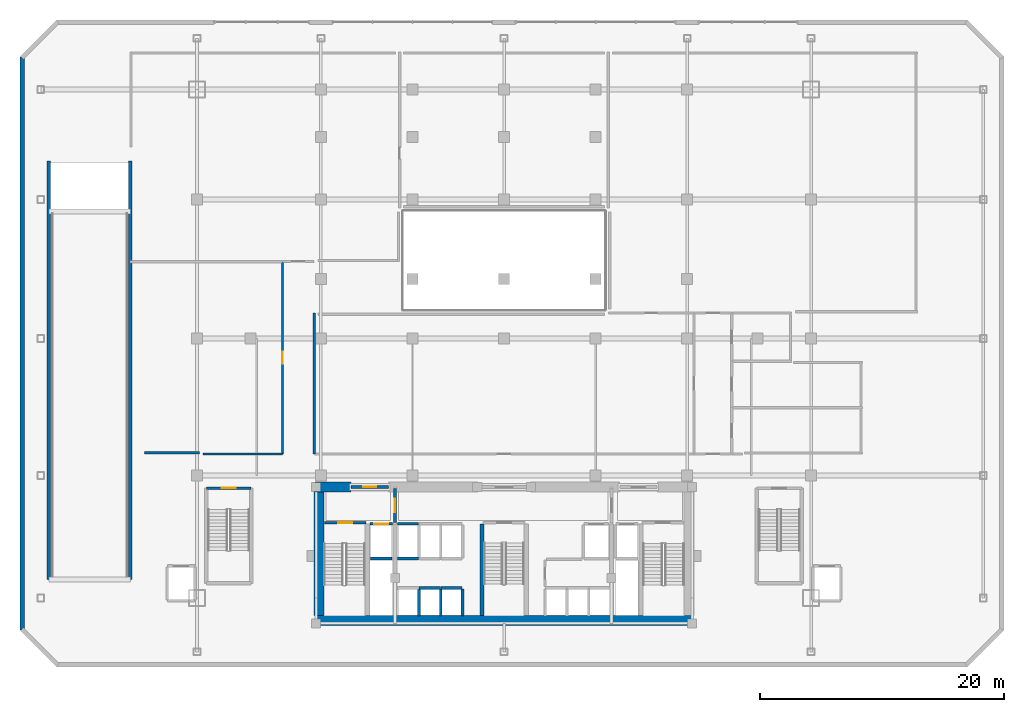
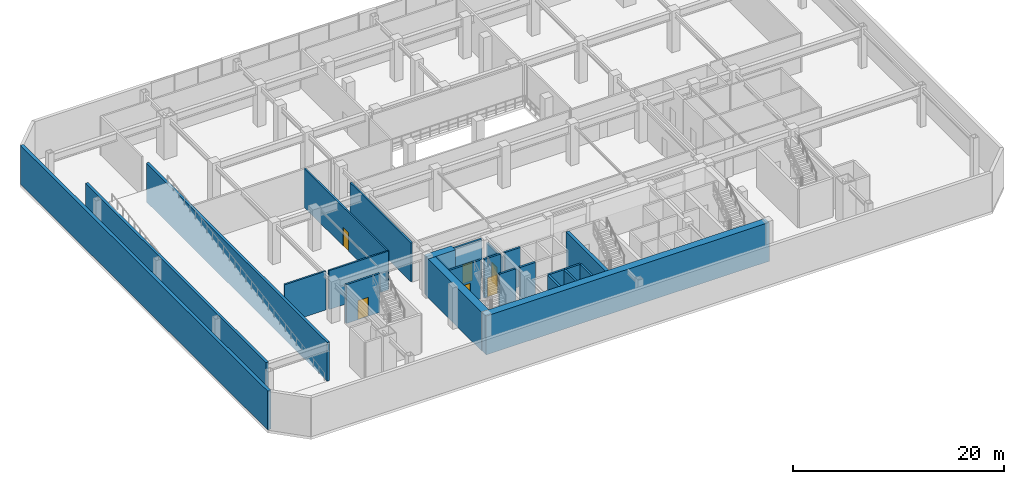
# One storey, part 10 of 15: 24 walls, 6 doors, 6 openings.
"""IFC4 building model written with IfcOpenShell, lengths in metres."""

from ifc_helpers import new_model, si_unit, direction, frame, frame_2d, origin, place, context, subcontext, project, spatial, rectangle, extrude, material, layer, layer_set, type_object, element, fill, save


model = new_model("IFC4")

# Units and contexts
model_context = context("Model", 3, precision=1e-05, world=origin(), true_north=direction((0.0, 1.0)))
body_context = subcontext(model_context, "Body", "Model", "MODEL_VIEW")
ifc_project = project(units=[si_unit("LENGTHUNIT", "METRE"), si_unit("AREAUNIT", "SQUARE_METRE"), si_unit("VOLUMEUNIT", "CUBIC_METRE"), si_unit("PLANEANGLEUNIT", "RADIAN"), si_unit("MASSUNIT", "GRAM", prefix="KILO")], contexts=[model_context])

# Site, building, storey
site_placement = place(None, origin())
site = spatial("IfcSite", under=ifc_project, at=site_placement, CompositionType="ELEMENT")
building_placement = place(site_placement, origin())
building = spatial("IfcBuilding", under=site, at=building_placement, Name="Ventersveld Concourse Tower", CompositionType="ELEMENT")
storey_placement = place(building_placement, frame((0.0, 0.0, 5.39990234375)))
storey = spatial("IfcBuildingStorey", under=building, at=storey_placement, Name="L01", CompositionType="ELEMENT", Elevation=5.39990234375)

# Walls
ifc_material_1 = material(Name="Concrete C60/75", Category="concrete")
ifc_layer_1 = layer(ifc_material_1, 0.35009765625)
ifc_layer_set_1 = layer_set([ifc_layer_1], Name="Concrete C60/75")
wall_type_1 = type_object("IfcWallType", Name="WL-CORE-350L", PredefinedType="SHEAR", material=ifc_layer_set_1)
wall_1_placement = place(storey_placement, frame((26.93994140625, 0.919921875, 0.0), z_axis=(0.0, 0.0, 1.0), x_axis=(0.0, 1.0, 0.0)))
element("IfcWall", 1, at=wall_1_placement, inside=storey, type_object=wall_type_1, Name="L01 Core Internal Shear Web W-ST3-W", PredefinedType="SHEAR", context=body_context, shape_type="SweptSolid", body=[
    extrude(rectangle(XDim=7.5, YDim=0.35009765625, at=frame_2d((3.75, 0.0))), origin(), (0.0, 0.0, 1.0), 4.5),
])
ifc_layer_2 = layer(ifc_material_1, 0.800048828125)
ifc_layer_set_2 = layer_set([ifc_layer_2], Name="Concrete C60/75")
wall_type_2 = type_object("IfcWallType", Name="WL-CORE-800", PredefinedType="SHEAR", material=ifc_layer_set_2)
wall_2_placement = place(storey_placement, frame((13.25, 0.52001953125, 0.0), z_axis=(0.0, 0.0, 1.0), x_axis=(1.0, 0.0, 0.0)))
element("IfcWall", 2, at=wall_2_placement, inside=storey, type_object=wall_type_2, Name="L01 Rear Core South Shear Wall", PredefinedType="SHEAR", context=body_context, shape_type="SweptSolid", body=[
    extrude(rectangle(XDim=31.0, YDim=0.800048828125, at=frame_2d((15.5, 0.0))), origin(), (0.0, 0.0, 1.0), 4.5),
])
wall_3_placement = place(storey_placement, frame((13.60009765625, 0.919921875, 0.0), z_axis=(0.0, 0.0, 1.0), x_axis=(0.0, 1.0, 0.0)))
element("IfcWall", 3, at=wall_3_placement, inside=storey, type_object=wall_type_2, Name="L01 Rear Core West Shear Wall", PredefinedType="SHEAR", context=body_context, shape_type="SweptSolid", body=[
    extrude(rectangle(XDim=10.530029296875, YDim=0.800048828125, at=frame_2d((5.26513671875, 0.0))), origin(), (0.0, 0.0, 1.0), 4.5),
])
wall_4_placement = place(storey_placement, frame((13.25, 11.449951171875, 0.0), z_axis=(0.0, 0.0, 1.0), x_axis=(1.0, 0.0, 0.0)))
element("IfcWall", 4, at=wall_4_placement, inside=storey, type_object=wall_type_2, Name="L01 Rear Core North Shear Wall NW", PredefinedType="SHEAR", context=body_context, shape_type="SweptSolid", body=[
    extrude(rectangle(XDim=2.949951171875, YDim=0.800048828125, at=frame_2d((1.47509765625, 0.0))), origin(), (0.0, 0.0, 1.0), 4.5),
])
ifc_material_2 = material(Name="Fire-rated autoclaved aerated masonry blockwork", Category="masonry")
ifc_layer_3 = layer(ifc_material_2, 0.179931640625)
ifc_layer_set_3 = layer_set([ifc_layer_3], Name="Fire-rated autoclaved aerated masonry blockwork")
wall_type_3 = type_object("IfcWallType", Name="WL-CORR-180", PredefinedType="PARTITIONING", material=ifc_layer_set_3)
wall_5_placement = place(storey_placement, frame((13.199951171875, 14.155029296875, 0.0), z_axis=(0.0, 0.0, 1.0), x_axis=(0.0, 1.0, 0.0)))
element("IfcWall", 5, at=wall_5_placement, inside=storey, type_object=wall_type_3, Name="L01 Interior Partition SP-L01-GAL-SP-L01-RETC", PredefinedType="PARTITIONING", context=body_context, shape_type="SweptSolid", body=[
    extrude(rectangle(XDim=11.5400390625, YDim=0.179931640625, at=frame_2d((5.77001953125, 0.0))), origin(), (0.0, 0.0, 1.0), 4.5),
])

# Wall, opening, door
wall_6_placement = place(storey_placement, frame((10.60009765625, 14.155029296875, 0.0), z_axis=(0.0, 0.0, 1.0), x_axis=(0.0, 1.0, 0.0)))
wall_6 = element("IfcWall", 6, at=wall_6_placement, inside=storey, type_object=wall_type_3, Name="L01 Interior Partition SP-L01-GAL-SP-L01-RET1", PredefinedType="PARTITIONING", context=body_context, shape_type="SweptSolid", body=[
    extrude(rectangle(XDim=15.739990234375, YDim=0.179931640625, at=frame_2d((7.8701171875, 0.0))), origin(), (0.0, 0.0, 1.0), 4.5),
])
opening_1_placement = place(wall_6_placement, frame((7.3701171875, 0.0, 0.0)))
opening_1 = element("IfcOpeningElement", 7, at=opening_1_placement, cuts=wall_6, Name="Opening FD3", PredefinedType="OPENING", context=body_context, shape_type="SweptSolid", body=[
    extrude(rectangle(XDim=1.0, YDim=2.14990234375, at=frame_2d((0.5, 1.074951171875))), frame((0.0, 0.10009765625, 0.0), z_axis=(0.0, -1.0, 0.0), x_axis=(1.0, 0.0, 0.0)), (0.0, 0.0, 1.0), 0.199951171875),
])
ifc_material_3 = material(Name="Solid-core hardwood veneer timber", Category="wood")
door_type_1 = type_object("IfcDoorType", Name="DR-FLAT-100", OperationType="NOTDEFINED", PredefinedType="DOOR", material=ifc_material_3)
door_1_placement = place(opening_1_placement, origin())
door_1 = element("IfcDoor", 8, at=door_1_placement, inside=storey, type_object=door_type_1, Name="L01 Interior Door SP-L01-GAL to SP-L01-RET1 (D-L01-0087)", OperationType="SINGLE_SWING_LEFT", OverallHeight=2.14990234375, OverallWidth=1.0, PredefinedType="DOOR", context=body_context, shape_type="SweptSolid", body=[
    extrude(rectangle(XDim=1.0, YDim=2.14990234375, at=frame_2d((0.5, 1.074951171875))), frame((0.0, 0.02490234375, 0.0), z_axis=(0.0, -1.0, 0.0), x_axis=(1.0, 0.0, 0.0)), (0.0, 0.0, 1.0), 0.050048828125),
])
fill(opening_1, door_1)

# Walls
wall_7_placement = place(storey_placement, frame((4.10498046875, 14.14990234375, 0.0), z_axis=(0.0, 0.0, 1.0), x_axis=(1.0, 0.0, 0.0)))
element("IfcWall", 9, at=wall_7_placement, inside=storey, type_object=wall_type_3, Name="L01 Interior Partition SP-L01-GAL-SP-L01-RET1", PredefinedType="PARTITIONING", context=body_context, shape_type="SweptSolid", body=[
    extrude(rectangle(XDim=6.489990234375, YDim=0.179931640625, at=frame_2d((3.2451171875, 0.0))), origin(), (0.0, 0.0, 1.0), 4.5),
])
wall_8_placement = place(storey_placement, frame((-0.705078125, 14.25, 0.0), z_axis=(0.0, 0.0, 1.0), x_axis=(1.0, 0.0, 0.0)))
element("IfcWall", 10, at=wall_8_placement, inside=storey, type_object=wall_type_3, Name="L01 Room Enclosure Wall SP-L01-RET1", PredefinedType="PARTITIONING", context=body_context, shape_type="SweptSolid", body=[
    extrude(rectangle(XDim=4.49755859375, YDim=0.179931640625, at=frame_2d((2.248779296875, 0.0))), origin(), (0.0, 0.0, 1.0), 4.5),
])
ifc_layer_4 = layer(ifc_material_2, 0.219970703125)
ifc_layer_set_4 = layer_set([ifc_layer_4], Name="Fire-rated autoclaved aerated masonry blockwork")
wall_type_4 = type_object("IfcWallType", Name="WL-HOIST-220", PredefinedType="SOLIDWALL", material=ifc_layer_set_4)
wall_9_placement = place(storey_placement, frame((17.800048828125, 5.590087890625, 0.0), z_axis=(0.0, 0.0, 1.0), x_axis=(1.0, 0.0, 0.0)))
element("IfcWall", 11, at=wall_9_placement, inside=storey, type_object=wall_type_4, Name="L01 Lift Hoistway Back Wall FFL-01", PredefinedType="SOLIDWALL", context=body_context, shape_type="SweptSolid", body=[
    extrude(rectangle(XDim=1.780029296875, YDim=0.219970703125, at=frame_2d((0.89013671875, 0.0))), origin(), (0.0, 0.0, 1.0), 4.5),
])

# Wall, opening, door
wall_10_placement = place(storey_placement, frame((17.780029296875, 8.429931640625, 0.0), z_axis=(0.0, 0.0, 1.0), x_axis=(1.0, 0.0, 0.0)))
wall_10 = element("IfcWall", 12, at=wall_10_placement, inside=storey, type_object=wall_type_4, Name="L01 Lift Hoistway Front Wall FFL-01", PredefinedType="SOLIDWALL", context=body_context, shape_type="SweptSolid", body=[
    extrude(rectangle(XDim=1.820068359375, YDim=0.219970703125, at=frame_2d((0.91015625, 0.0))), origin(), (0.0, 0.0, 1.0), 4.5),
])
opening_2_placement = place(wall_10_placement, frame((0.35009765625, 0.0, 0.0)))
opening_2 = element("IfcOpeningElement", 13, at=opening_2_placement, cuts=wall_10, Name="Opening LD1", PredefinedType="OPENING", context=body_context, shape_type="SweptSolid", body=[
    extrude(rectangle(XDim=1.1201171875, YDim=2.25, at=frame_2d((0.56005859375, 1.125))), frame((0.0, 0.1201171875, 0.0), z_axis=(0.0, -1.0, 0.0), x_axis=(1.0, 0.0, 0.0)), (0.0, 0.0, 1.0), 0.239990234375),
])
ifc_material_4 = material(Name="Brushed stainless steel 316", Category="steel")
door_type_2 = type_object("IfcDoorType", Name="LD-FF-112", OperationType="SLIDING_TO_LEFT", PredefinedType="DOOR", material=ifc_material_4)
door_2_placement = place(opening_2_placement, origin())
door_2 = element("IfcDoor", 14, at=door_2_placement, inside=storey, type_object=door_type_2, Name="L01 Lift landing door FFL-01 (LD-L01-FFL-01)", OperationType="SLIDING_TO_LEFT", OverallHeight=2.25, OverallWidth=1.1201171875, PredefinedType="DOOR", context=body_context, shape_type="SweptSolid", body=[
    extrude(rectangle(XDim=1.1201171875, YDim=2.25, at=frame_2d((0.56005859375, 1.125))), frame((0.0, 0.02490234375, 0.0), z_axis=(0.0, -1.0, 0.0), x_axis=(1.0, 0.0, 0.0)), (0.0, 0.0, 1.0), 0.050048828125),
])
fill(opening_2, door_2)

# Walls
for number, where, z_axis, x_axis, name in (
    (15, (21.780029296875, 0.89990234375, 0.0), (0.0, 0.0, 1.0), (0.0, 1.0, 0.0), "L01 Lift Hoistway Side Wall PL-01E"),
    (16, (23.56005859375, 0.89990234375, 0.0), (0.0, 0.0, 1.0), (0.0, 1.0, 0.0), "L01 Lift Hoistway Side Wall PL-02E"),
):
    element("IfcWall", number, at=place(storey_placement, frame(where, z_axis=z_axis, x_axis=x_axis)), inside=storey, type_object=wall_type_4, Name=name, PredefinedType="SOLIDWALL", context=body_context, shape_type="SweptSolid", body=[
        extrude(rectangle(XDim=2.2001953125, YDim=0.219970703125, at=frame_2d((1.10009765625, 0.0))), origin(), (0.0, 0.0, 1.0), 4.5),
    ])
wall_11_placement = place(storey_placement, frame((21.800048828125, 3.179931640625, 0.0), z_axis=(0.0, 0.0, 1.0), x_axis=(1.0, 0.0, 0.0)))
element("IfcWall", 17, at=wall_11_placement, inside=storey, type_object=wall_type_4, Name="L01 Lift Hoistway Front Wall PL-02", PredefinedType="SOLIDWALL", context=body_context, shape_type="SweptSolid", body=[
    extrude(rectangle(XDim=1.739990234375, YDim=0.219970703125, at=frame_2d((0.8701171875, 0.0))), origin(), (0.0, 0.0, 1.0), 4.5),
])
wall_12_placement = place(storey_placement, frame((25.340087890625, 0.89990234375, 0.0), z_axis=(0.0, 0.0, 1.0), x_axis=(0.0, 1.0, 0.0)))
element("IfcWall", 18, at=wall_12_placement, inside=storey, type_object=wall_type_4, Name="L01 Lift Hoistway Side Wall PL-03E", PredefinedType="SOLIDWALL", context=body_context, shape_type="SweptSolid", body=[
    extrude(rectangle(XDim=2.2001953125, YDim=0.219970703125, at=frame_2d((1.10009765625, 0.0))), origin(), (0.0, 0.0, 1.0), 4.5),
])
wall_13_placement = place(storey_placement, frame((23.580078125, 3.179931640625, 0.0), z_axis=(0.0, 0.0, 1.0), x_axis=(1.0, 0.0, 0.0)))
element("IfcWall", 19, at=wall_13_placement, inside=storey, type_object=wall_type_4, Name="L01 Lift Hoistway Front Wall PL-03", PredefinedType="SOLIDWALL", context=body_context, shape_type="SweptSolid", body=[
    extrude(rectangle(XDim=1.739990234375, YDim=0.219970703125, at=frame_2d((0.8701171875, 0.0))), origin(), (0.0, 0.0, 1.0), 4.5),
])
wall_14_placement = place(storey_placement, frame((20.0400390625, 5.590087890625, 0.0), z_axis=(0.0, 0.0, 1.0), x_axis=(1.0, 0.0, 0.0)))
element("IfcWall", 20, at=wall_14_placement, inside=storey, type_object=wall_type_4, Name="L01 Lift Hoistway Back Wall PH-01", PredefinedType="SOLIDWALL", context=body_context, shape_type="SweptSolid", body=[
    extrude(rectangle(XDim=1.699951171875, YDim=0.219970703125, at=frame_2d((0.85009765625, 0.0))), origin(), (0.0, 0.0, 1.0), 4.5),
])
wall_15_placement = place(storey_placement, frame((20.02001953125, 8.429931640625, 0.0), z_axis=(0.0, 0.0, 1.0), x_axis=(1.0, 0.0, 0.0)))
element("IfcWall", 21, at=wall_15_placement, inside=storey, type_object=wall_type_4, Name="L01 Lift Hoistway Front Wall PH-01", PredefinedType="SOLIDWALL", context=body_context, shape_type="SweptSolid", body=[
    extrude(rectangle(XDim=1.739990234375, YDim=0.219970703125, at=frame_2d((0.8701171875, 0.0))), origin(), (0.0, 0.0, 1.0), 4.5),
])

# Wall, opening, door
wall_16_placement = place(storey_placement, frame((14.0400390625, 8.52001953125, 0.0), z_axis=(0.0, 0.0, 1.0), x_axis=(1.0, 0.0, 0.0)))
wall_16 = element("IfcWall", 22, at=wall_16_placement, inside=storey, type_object=wall_type_4, Name="L01 Escape Stair ST01 Fire Wall", PredefinedType="SOLIDWALL", context=body_context, shape_type="SweptSolid", body=[
    extrude(rectangle(XDim=3.39990234375, YDim=0.219970703125, at=frame_2d((1.699951171875, 0.0))), origin(), (0.0, 0.0, 1.0), 4.5),
])
opening_3_placement = place(wall_16_placement, frame((1.125, 0.0, 0.0)))
opening_3 = element("IfcOpeningElement", 23, at=opening_3_placement, cuts=wall_16, Name="Opening FD1", PredefinedType="OPENING", context=body_context, shape_type="SweptSolid", body=[
    extrude(rectangle(XDim=1.14990234375, YDim=2.199951171875, at=frame_2d((0.574951171875, 1.10009765625))), frame((0.0, 0.1201171875, 0.0), z_axis=(0.0, -1.0, 0.0), x_axis=(1.0, 0.0, 0.0)), (0.0, 0.0, 1.0), 0.239990234375),
])
ifc_material_5 = material(Name="Galvanised painted steel", Category="steel")
door_type_3 = type_object("IfcDoorType", Name="DR-STAIR-115", OperationType="NOTDEFINED", PredefinedType="DOOR", material=ifc_material_5)
door_3_placement = place(opening_3_placement, origin())
door_3 = element("IfcDoor", 24, at=door_3_placement, inside=storey, type_object=door_type_3, Name="L01 Escape Stair Door ST01 (SD-L01-0075)", OperationType="SINGLE_SWING_LEFT", OverallHeight=2.199951171875, OverallWidth=1.14990234375, PredefinedType="DOOR", context=body_context, shape_type="SweptSolid", body=[
    extrude(rectangle(XDim=1.14990234375, YDim=2.199951171875, at=frame_2d((0.574951171875, 1.10009765625))), frame((0.0, 0.02490234375, 0.0), z_axis=(0.0, -1.0, 0.0), x_axis=(1.0, 0.0, 0.0)), (0.0, 0.0, 1.0), 0.050048828125),
])
fill(opening_3, door_3)

wall_17_placement = place(storey_placement, frame((4.360107421875, 11.35009765625, 0.0), z_axis=(0.0, 0.0, 1.0), x_axis=(1.0, 0.0, 0.0)))
wall_17 = element("IfcWall", 25, at=wall_17_placement, inside=storey, type_object=wall_type_4, Name="L01 Escape Stair ST04 Fire Wall", PredefinedType="SOLIDWALL", context=body_context, shape_type="SweptSolid", body=[
    extrude(rectangle(XDim=3.679931640625, YDim=0.219970703125, at=frame_2d((1.83984375, 0.0))), origin(), (0.0, 0.0, 1.0), 4.5),
])
opening_4_placement = place(wall_17_placement, frame((1.264892578125, 0.0, 0.0)))
opening_4 = element("IfcOpeningElement", 26, at=opening_4_placement, cuts=wall_17, Name="Opening FD1", PredefinedType="OPENING", context=body_context, shape_type="SweptSolid", body=[
    extrude(rectangle(XDim=1.14990234375, YDim=2.199951171875, at=frame_2d((0.574951171875, 1.10009765625))), frame((0.0, 0.1201171875, 0.0), z_axis=(0.0, -1.0, 0.0), x_axis=(1.0, 0.0, 0.0)), (0.0, 0.0, 1.0), 0.239990234375),
])
door_4_placement = place(opening_4_placement, origin())
door_4 = element("IfcDoor", 27, at=door_4_placement, inside=storey, type_object=door_type_3, Name="L01 Escape Stair Door ST04 (SD-L01-0078)", OperationType="SINGLE_SWING_RIGHT", OverallHeight=2.199951171875, OverallWidth=1.14990234375, PredefinedType="DOOR", context=body_context, shape_type="SweptSolid", body=[
    extrude(rectangle(XDim=1.14990234375, YDim=2.199951171875, at=frame_2d((0.574951171875, 1.10009765625))), frame((0.0, 0.02490234375, 0.0), z_axis=(0.0, -1.0, 0.0), x_axis=(1.0, 0.0, 0.0)), (0.0, 0.0, 1.0), 0.050048828125),
])
fill(opening_4, door_4)

wall_18_placement = place(storey_placement, frame((19.820068359375, 8.52001953125, 0.0), z_axis=(0.0, 0.0, 1.0), x_axis=(0.0, 1.0, 0.0)))
wall_18 = element("IfcWall", 28, at=wall_18_placement, inside=storey, type_object=wall_type_4, Name="L01 Firefighting Lobby Smoke-Stop Wall FFLW-SEP", PredefinedType="SOLIDWALL", context=body_context, shape_type="SweptSolid", body=[
    extrude(rectangle(XDim=2.800048828125, YDim=0.219970703125, at=frame_2d((1.39990234375, 0.0))), origin(), (0.0, 0.0, 1.0), 3.95556640625),
])
opening_5_placement = place(wall_18_placement, frame((0.85009765625, 0.0, 0.0)))
opening_5 = element("IfcOpeningElement", 29, at=opening_5_placement, cuts=wall_18, Name="Opening FD2", PredefinedType="OPENING", context=body_context, shape_type="SweptSolid", body=[
    extrude(rectangle(XDim=1.10009765625, YDim=2.199951171875, at=frame_2d((0.550048828125, 1.10009765625))), frame((0.0, 0.1201171875, 0.0), z_axis=(0.0, -1.0, 0.0), x_axis=(1.0, 0.0, 0.0)), (0.0, 0.0, 1.0), 0.239990234375),
])
door_type_4 = type_object("IfcDoorType", Name="DR-FFL-110", OperationType="NOTDEFINED", PredefinedType="DOOR", material=ifc_material_5)
door_5_placement = place(opening_5_placement, origin())
door_5 = element("IfcDoor", 30, at=door_5_placement, inside=storey, type_object=door_type_4, Name="L01 Firefighting Lobby Door FFLW-SEP (FD-L01-0080)", OperationType="SINGLE_SWING_LEFT", OverallHeight=2.199951171875, OverallWidth=1.10009765625, PredefinedType="DOOR", context=body_context, shape_type="SweptSolid", body=[
    extrude(rectangle(XDim=1.10009765625, YDim=2.199951171875, at=frame_2d((0.550048828125, 1.10009765625))), frame((0.0, 0.02490234375, 0.0), z_axis=(0.0, -1.0, 0.0), x_axis=(1.0, 0.0, 0.0)), (0.0, 0.0, 1.0), 0.050048828125),
])
fill(opening_5, door_5)

wall_19_placement = place(storey_placement, frame((16.22998046875, 11.449951171875, 0.0), z_axis=(0.0, 0.0, 1.0), x_axis=(1.0, 0.0, 0.0)))
wall_19 = element("IfcWall", 31, at=wall_19_placement, inside=storey, type_object=wall_type_4, Name="L01 Core North Fire Portal FFLW-OUT", PredefinedType="SOLIDWALL", context=body_context, shape_type="SweptSolid", body=[
    extrude(rectangle(XDim=3.0400390625, YDim=0.219970703125, at=frame_2d((1.52001953125, 0.0))), origin(), (0.0, 0.0, 1.0), 4.5),
])
opening_6_placement = place(wall_19_placement, frame((0.969970703125, 0.0, 0.0)))
opening_6 = element("IfcOpeningElement", 32, at=opening_6_placement, cuts=wall_19, Name="Opening FD2", PredefinedType="OPENING", context=body_context, shape_type="SweptSolid", body=[
    extrude(rectangle(XDim=1.10009765625, YDim=2.199951171875, at=frame_2d((0.550048828125, 1.10009765625))), frame((0.0, 0.1201171875, 0.0), z_axis=(0.0, -1.0, 0.0), x_axis=(1.0, 0.0, 0.0)), (0.0, 0.0, 1.0), 0.239990234375),
])
door_6_placement = place(opening_6_placement, origin())
door_6 = element("IfcDoor", 33, at=door_6_placement, inside=storey, type_object=door_type_4, Name="L01 Core Lobby Fire Door FFLW-OUT (FD-L01-0082)", OperationType="SINGLE_SWING_RIGHT", OverallHeight=2.199951171875, OverallWidth=1.10009765625, PredefinedType="DOOR", context=body_context, shape_type="SweptSolid", body=[
    extrude(rectangle(XDim=1.10009765625, YDim=2.199951171875, at=frame_2d((0.550048828125, 1.10009765625))), frame((0.0, 0.02490234375, 0.0), z_axis=(0.0, -1.0, 0.0), x_axis=(1.0, 0.0, 0.0)), (0.0, 0.0, 1.0), 0.050048828125),
])
fill(opening_6, door_6)

# Walls
ifc_material_6 = material(Name="Precast concrete C45/55", Category="concrete")
ifc_layer_5 = layer(ifc_material_6, 0.35009765625)
ifc_layer_set_5 = layer_set([ifc_layer_5], Name="Precast concrete C45/55")
wall_type_5 = type_object("IfcWallType", Name="WL-PREC-350", PredefinedType="SOLIDWALL", material=ifc_layer_set_5)
wall_20_placement = place(storey_placement, frame((-10.719970703125, 46.659912109375, 0.0), z_axis=(0.0, 0.0, 1.0), x_axis=(0.0, -1.0, 0.0)))
element("IfcWall", 34, at=wall_20_placement, inside=storey, type_object=wall_type_5, Name="L01 Podium Precast Perimeter Wall 07", PredefinedType="SOLIDWALL", context=body_context, shape_type="SweptSolid", body=[
    extrude(rectangle(XDim=46.919921875, YDim=0.35009765625, at=frame_2d((23.4599609375, 0.0))), origin(), (0.0, 0.0, 1.0), 4.5),
])
ifc_material_7 = material(Name="Concrete C50/60", Category="concrete")
ifc_layer_6 = layer(ifc_material_7, 0.280029296875)
ifc_layer_set_6 = layer_set([ifc_layer_6], Name="Concrete C50/60")
wall_type_6 = type_object("IfcWallType", Name="WL-SHAFT-280", PredefinedType="SHEAR", material=ifc_layer_set_6)
for number, where, z_axis, x_axis, name in (
    (35, (-8.5400390625, 3.8798828125, 0.0), (0.0, 0.0, 1.0), (0.0, 1.0, 0.0), "L01 Ramp Structural Shaft Wall RMPW-W"),
    (36, (-1.860107421875, 3.8798828125, 0.0), (0.0, 0.0, 1.0), (0.0, 1.0, 0.0), "L01 Ramp Structural Shaft Wall RMPW-E"),
):
    element("IfcWall", number, at=place(storey_placement, frame(where, z_axis=z_axis, x_axis=x_axis)), inside=storey, type_object=wall_type_6, Name=name, PredefinedType="SHEAR", context=body_context, shape_type="SweptSolid", body=[
        extrude(rectangle(XDim=34.27001953125, YDim=0.280029296875, at=frame_2d((17.135009765625, 0.0))), origin(), (0.0, 0.0, 1.0), 4.5),
    ])

save(model, "model.ifc")
